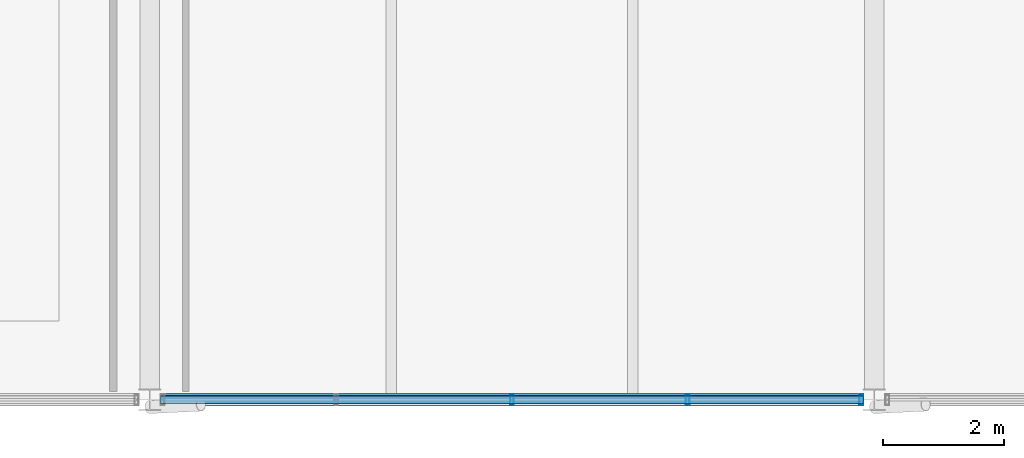
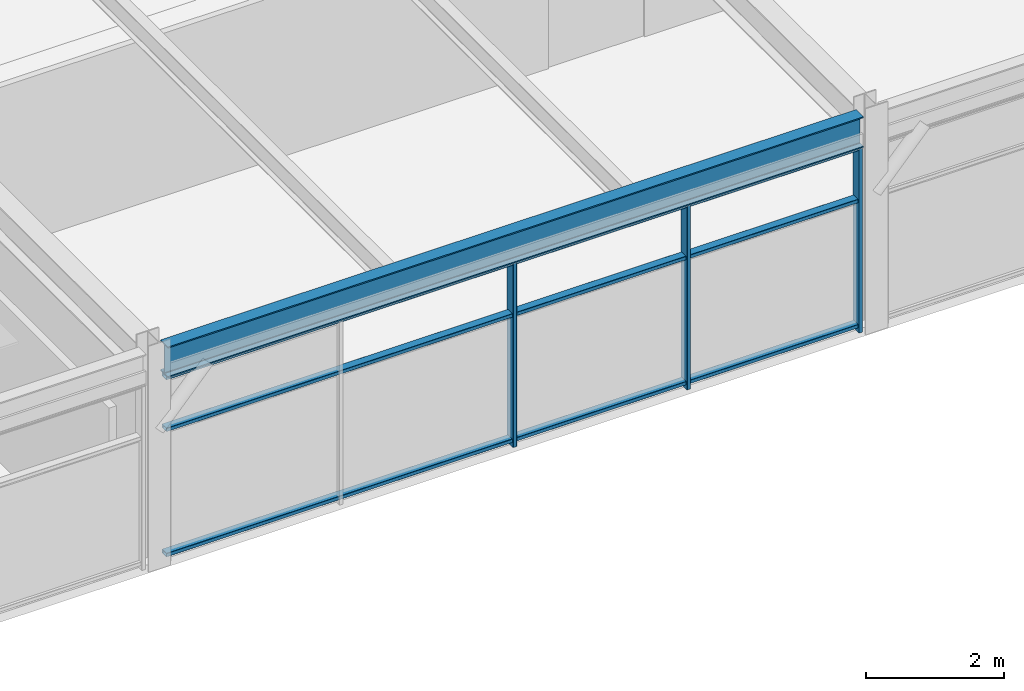
# One storey, part 14 of 40: 6 members, 1 beam, 1 element without a shape of its own.
"""IFC4 building model written with IfcOpenShell, lengths in metres."""

from ifc_helpers import new_model, si_unit, direction, frame, origin, origin_2d, place, context, subcontext, project, spatial, hollow_rectangle, i_section, extrude, material, material_profile, profile_set, type_object, element, aggregate, save


model = new_model("IFC4")

# Units and contexts
model_context = context("Model", 3, precision=1e-05, world=origin(), true_north=direction((0.0, 1.0)))
body_context = subcontext(model_context, "Body", "Model", "MODEL_VIEW")
ifc_project = project(units=[si_unit("LENGTHUNIT", "METRE"), si_unit("AREAUNIT", "SQUARE_METRE"), si_unit("VOLUMEUNIT", "CUBIC_METRE"), si_unit("PLANEANGLEUNIT", "RADIAN"), si_unit("MASSUNIT", "GRAM", prefix="KILO")], contexts=[model_context])

# Site, building, storey
site_placement = place(None, origin())
site = spatial("IfcSite", under=ifc_project, at=site_placement, CompositionType="ELEMENT")
building_placement = place(site_placement, origin())
building = spatial("IfcBuilding", under=site, at=building_placement, Name="Girod Span Mobility Hub", CompositionType="ELEMENT")
storey_placement = place(building_placement, frame((0.0, 0.0, 53.60009765625)))
storey = spatial("IfcBuildingStorey", under=building, at=storey_placement, Name="L13", CompositionType="ELEMENT", Elevation=53.60009765625)

# Beam
ifc_material_1 = material(Name="Steel A992 Grade 50", Category="steel")
ifc_material_profile_1 = material_profile(ifc_material_1, i_section(OverallWidth=0.2119140625, OverallDepth=0.5439453125, WebThickness=0.01318359375, FlangeThickness=0.021240234375, FilletRadius=0.014892578125, at=origin_2d()), Name="W21X83")
ifc_profile_set_1 = profile_set([ifc_material_profile_1], Name="Steel A992 Grade 50")
beam_type = type_object("IfcBeamType", Name="BM-STL-W21X83", PredefinedType="SPANDREL", material=ifc_profile_set_1)
beam_placement = place(storey_placement, frame((72.181396484375, 45.0, 3.54296875), z_axis=(1.0, 0.0, 0.0), x_axis=(0.0, 1.0, 0.0)))
element("IfcBeam", 1, at=beam_placement, inside=storey, type_object=beam_type, Name="Girder 7-8/D L13", PredefinedType="SPANDREL", context=body_context, shape_type="SweptSolid", body=[
    extrude(i_section(OverallWidth=0.2119140625, OverallDepth=0.5439453125, WebThickness=0.01318359375, FlangeThickness=0.021240234375, FilletRadius=0.014892578125, at=origin_2d()), origin(), (0.0, 0.0, 1.0), 11.63720703125),
])

# Curtain wall, members
ifc_material_2 = material(Name="Thermally Broken Anodised Aluminium", Category="aluminium")
curtain_wall_type = type_object("IfcCurtainWallType", Name="CW-1164X327", PredefinedType="USERDEFINED", material=ifc_material_2)
curtain_wall_placement = place(storey_placement, origin())
curtain_wall = element("IfcCurtainWall", 2, at=curtain_wall_placement, inside=storey, type_object=curtain_wall_type, Name="Unitised Curtain Wall CW-L13-S07 L13", ObjectType="UNITISED CURTAIN WALL", PredefinedType="USERDEFINED")
ifc_material_3 = material(Name="Thermally Broken Anodised Aluminium", Category="aluminium")
ifc_material_profile_2 = material_profile(ifc_material_3, hollow_rectangle(XDim=0.179931640625, YDim=0.06494140625, WallThickness=0.00390625, InnerFilletRadius=0.00390625, OuterFilletRadius=0.008056640625, at=origin_2d()), Name="CW-ML-65X180")
ifc_profile_set_2 = profile_set([ifc_material_profile_2], Name="Thermally Broken Anodised Aluminium")
member_type_1 = type_object("IfcMemberType", Name="CWM-ML-2", PredefinedType="MULLION", material=ifc_profile_set_2)
member_1_placement = place(storey_placement, frame((78.0, 45.0, 0.0), z_axis=(0.0, 0.0, 1.0), x_axis=(0.0, 1.0, 0.0)))
member_1 = element("IfcMember", 3, at=member_1_placement, type_object=member_type_1, Name="Curtain Wall Mullion CW-L13-S07-M2", PredefinedType="MULLION", context=body_context, shape_type="SweptSolid", body=[
    extrude(hollow_rectangle(XDim=0.179931640625, YDim=0.06494140625, WallThickness=0.00390625, InnerFilletRadius=0.00390625, OuterFilletRadius=0.008056640625, at=origin_2d()), origin(), (0.0, 0.0, 1.0), 3.27099609375),
])
member_2_placement = place(storey_placement, frame((80.90869140625, 45.0, 0.0), z_axis=(0.0, 0.0, 1.0), x_axis=(0.0, 1.0, 0.0)))
member_2 = element("IfcMember", 4, at=member_2_placement, type_object=member_type_1, Name="Curtain Wall Mullion CW-L13-S07-M3", PredefinedType="MULLION", context=body_context, shape_type="SweptSolid", body=[
    extrude(hollow_rectangle(XDim=0.179931640625, YDim=0.06494140625, WallThickness=0.00390625, InnerFilletRadius=0.00390625, OuterFilletRadius=0.008056640625, at=origin_2d()), origin(), (0.0, 0.0, 1.0), 3.27099609375),
])
member_3_placement = place(storey_placement, frame((83.785400390625, 45.0, 0.0), z_axis=(0.0, 0.0, 1.0), x_axis=(0.0, 1.0, 0.0)))
member_3 = element("IfcMember", 5, at=member_3_placement, type_object=member_type_1, Name="Curtain Wall Mullion CW-L13-S07-M4", PredefinedType="MULLION", context=body_context, shape_type="SweptSolid", body=[
    extrude(hollow_rectangle(XDim=0.179931640625, YDim=0.06494140625, WallThickness=0.00390625, InnerFilletRadius=0.00390625, OuterFilletRadius=0.008056640625, at=origin_2d()), origin(), (0.0, 0.0, 1.0), 3.27099609375),
])
ifc_material_4 = material(Name="Thermally Broken Anodised Aluminium", Category="aluminium")
ifc_material_profile_3 = material_profile(ifc_material_4, hollow_rectangle(XDim=0.135009765625, YDim=0.06494140625, WallThickness=0.00390625, InnerFilletRadius=0.00390625, OuterFilletRadius=0.008056640625, at=origin_2d()), Name="CW-TR-65X135")
ifc_profile_set_3 = profile_set([ifc_material_profile_3], Name="Thermally Broken Anodised Aluminium")
member_type_2 = type_object("IfcMemberType", Name="CWM-TR-2", PredefinedType="USERDEFINED", material=ifc_profile_set_3)
member_4_placement = place(storey_placement, frame((72.1826171875, 45.0, 0.107421875), z_axis=(1.0, 0.0, 0.0), x_axis=(0.0, 1.0, 0.0)))
member_4 = element("IfcMember", 6, at=member_4_placement, type_object=member_type_2, Name="Curtain Wall Transom CW-L13-S07-T1", ObjectType="TRANSOM", PredefinedType="USERDEFINED", context=body_context, shape_type="SweptSolid", body=[
    extrude(hollow_rectangle(XDim=0.135009765625, YDim=0.06494140625, WallThickness=0.00390625, InnerFilletRadius=0.00390625, OuterFilletRadius=0.008056640625, at=origin_2d()), origin(), (0.0, 0.0, 1.0), 11.634765625),
])
member_5_placement = place(storey_placement, frame((72.1826171875, 45.0, 2.322509765625), z_axis=(1.0, 0.0, 0.0), x_axis=(0.0, 1.0, 0.0)))
member_5 = element("IfcMember", 7, at=member_5_placement, type_object=member_type_2, Name="Curtain Wall Transom CW-L13-S07-T2", ObjectType="TRANSOM", PredefinedType="USERDEFINED", context=body_context, shape_type="SweptSolid", body=[
    extrude(hollow_rectangle(XDim=0.135009765625, YDim=0.06494140625, WallThickness=0.00390625, InnerFilletRadius=0.00390625, OuterFilletRadius=0.008056640625, at=origin_2d()), origin(), (0.0, 0.0, 1.0), 11.634765625),
])
member_6_placement = place(storey_placement, frame((72.1826171875, 45.0, 3.23828125), z_axis=(1.0, 0.0, 0.0), x_axis=(0.0, 1.0, 0.0)))
member_6 = element("IfcMember", 8, at=member_6_placement, type_object=member_type_2, Name="Curtain Wall Transom CW-L13-S07-T3", ObjectType="TRANSOM", PredefinedType="USERDEFINED", context=body_context, shape_type="SweptSolid", body=[
    extrude(hollow_rectangle(XDim=0.135009765625, YDim=0.06494140625, WallThickness=0.00390625, InnerFilletRadius=0.00390625, OuterFilletRadius=0.008056640625, at=origin_2d()), origin(), (0.0, 0.0, 1.0), 11.634765625),
])
aggregate(curtain_wall, [member_1, member_2, member_3, member_4, member_5, member_6])

save(model, "model.ifc")
